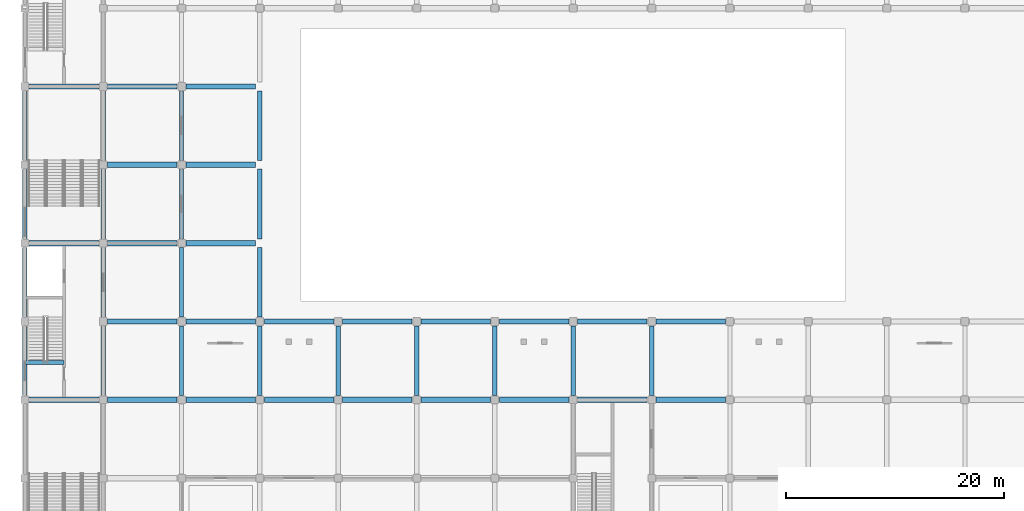
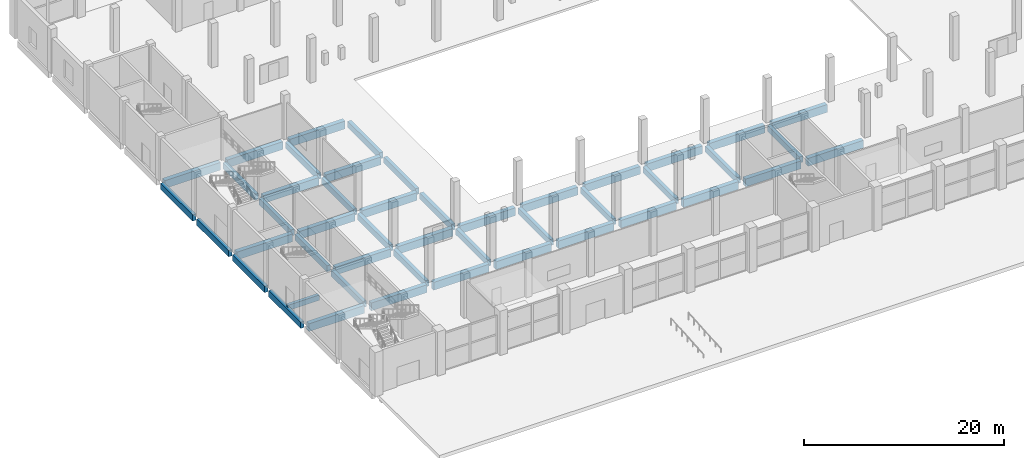
# One storey, part 9 of 70: 47 beams.
"""IFC4 building model written with IfcOpenShell, lengths in metres."""

from ifc_helpers import new_model, si_unit, direction, frame, origin, origin_2d, place, context, subcontext, project, spatial, rectangle, extrude, material, material_profile, profile_set, type_object, element, save


model = new_model("IFC4")

# Units and contexts
model_context = context("Model", 3, precision=1e-05, world=origin(), true_north=direction((0.0, 1.0)))
body_context = subcontext(model_context, "Body", "Model", "MODEL_VIEW")
ifc_project = project(units=[si_unit("LENGTHUNIT", "METRE"), si_unit("AREAUNIT", "SQUARE_METRE"), si_unit("VOLUMEUNIT", "CUBIC_METRE"), si_unit("PLANEANGLEUNIT", "RADIAN"), si_unit("MASSUNIT", "GRAM", prefix="KILO")], contexts=[model_context])

# Site, building, storey
site_placement = place(None, origin())
site = spatial("IfcSite", under=ifc_project, at=site_placement, CompositionType="ELEMENT")
building_placement = place(site_placement, origin())
building = spatial("IfcBuilding", under=site, at=building_placement, Name="Vesperath Aquatics Centre", CompositionType="ELEMENT")
storey_placement = place(building_placement, origin())
storey = spatial("IfcBuildingStorey", under=building, at=storey_placement, Name="L00", CompositionType="ELEMENT", Elevation=0.0)

# Beams
ifc_material_1 = material(Name="Concrete C40", Category="concrete")
ifc_material_profile_1 = material_profile(ifc_material_1, rectangle(XDim=0.5, YDim=0.949951171875, at=origin_2d()), Name="RC 500x950")
ifc_profile_set_1 = profile_set([ifc_material_profile_1], Name="Concrete C40")
beam_type_1 = type_object("IfcBeamType", Name="BM-G02", PredefinedType="BEAM", material=ifc_profile_set_1)
for number, where, z_axis, x_axis, name in (
    (1, (0.39990234375, 28.800048828125, -0.7548828125), (1.0, 0.0, 0.0), (0.0, 1.0, 0.0), "Floor Girder B02 L00 E 1-2"),
    (2, (0.39990234375, 43.199951171875, -0.7548828125), (1.0, 0.0, 0.0), (0.0, 1.0, 0.0), "Floor Girder B02 L00 G 1-2"),
    (3, (0.39990234375, 57.60009765625, -0.7548828125), (1.0, 0.0, 0.0), (0.0, 1.0, 0.0), "Floor Girder B02 L00 J 1-2"),
):
    element("IfcBeam", number, at=place(storey_placement, frame(where, z_axis=z_axis, x_axis=x_axis)), inside=storey, type_object=beam_type_1, Name=name, PredefinedType="BEAM", context=body_context, shape_type="SweptSolid", body=[
        extrude(rectangle(XDim=0.5, YDim=0.949951171875, at=origin_2d()), origin(), (0.0, 0.0, 1.0), 6.400146484375),
    ])
for number, where, z_axis, x_axis, name in (
    (4, (7.60009765625, 28.800048828125, -0.7548828125), (1.0, 0.0, 0.0), (0.0, 1.0, 0.0), "Floor Girder B02 L00 E 2-3"),
    (5, (7.60009765625, 36.0, -0.7548828125), (1.0, 0.0, 0.0), (0.0, 1.0, 0.0), "Floor Girder B02 L00 F 2-3"),
    (6, (7.60009765625, 43.199951171875, -0.7548828125), (1.0, 0.0, 0.0), (0.0, 1.0, 0.0), "Floor Girder B02 L00 G 2-3"),
    (7, (7.60009765625, 50.39990234375, -0.7548828125), (1.0, 0.0, 0.0), (0.0, 1.0, 0.0), "Floor Girder B02 L00 H 2-3"),
    (8, (7.60009765625, 57.60009765625, -0.7548828125), (1.0, 0.0, 0.0), (0.0, 1.0, 0.0), "Floor Girder B02 L00 J 2-3"),
    (9, (14.800048828125, 28.800048828125, -0.7548828125), (1.0, 0.0, 0.0), (0.0, 1.0, 0.0), "Floor Girder B02 L00 E 3-4"),
    (10, (14.800048828125, 36.0, -0.7548828125), (1.0, 0.0, 0.0), (0.0, 1.0, 0.0), "Floor Girder B02 L00 F 3-4"),
    (11, (14.800048828125, 43.199951171875, -0.7548828125), (1.0, 0.0, 0.0), (0.0, 1.0, 0.0), "Floor Girder B02 L00 G 3-4"),
    (12, (14.800048828125, 50.39990234375, -0.7548828125), (1.0, 0.0, 0.0), (0.0, 1.0, 0.0), "Floor Girder B02 L00 H 3-4"),
    (13, (14.800048828125, 57.60009765625, -0.7548828125), (1.0, 0.0, 0.0), (0.0, 1.0, 0.0), "Floor Girder B02 L00 J 3-4"),
    (14, (22.0, 28.800048828125, -0.7548828125), (1.0, 0.0, 0.0), (0.0, 1.0, 0.0), "Floor Girder B02 L00 E 4-5"),
    (15, (22.0, 36.0, -0.7548828125), (1.0, 0.0, 0.0), (0.0, 1.0, 0.0), "Floor Girder B02 L00 F 4-5"),
):
    element("IfcBeam", number, at=place(storey_placement, frame(where, z_axis=z_axis, x_axis=x_axis)), inside=storey, type_object=beam_type_1, Name=name, PredefinedType="BEAM", context=body_context, shape_type="SweptSolid", body=[
        extrude(rectangle(XDim=0.5, YDim=0.949951171875, at=origin_2d()), origin(), (0.0, 0.0, 1.0), 6.39990234375),
    ])
for number, where, z_axis, x_axis, name in (
    (16, (29.199951171875, 28.800048828125, -0.7548828125), (1.0, 0.0, 0.0), (0.0, 1.0, 0.0), "Floor Girder B02 L00 E 5-6"),
    (17, (29.199951171875, 36.0, -0.7548828125), (1.0, 0.0, 0.0), (0.0, 1.0, 0.0), "Floor Girder B02 L00 F 5-6"),
    (18, (36.39990234375, 28.800048828125, -0.7548828125), (1.0, 0.0, 0.0), (0.0, 1.0, 0.0), "Floor Girder B02 L00 E 6-7"),
    (19, (36.39990234375, 36.0, -0.7548828125), (1.0, 0.0, 0.0), (0.0, 1.0, 0.0), "Floor Girder B02 L00 F 6-7"),
):
    element("IfcBeam", number, at=place(storey_placement, frame(where, z_axis=z_axis, x_axis=x_axis)), inside=storey, type_object=beam_type_1, Name=name, PredefinedType="BEAM", context=body_context, shape_type="SweptSolid", body=[
        extrude(rectangle(XDim=0.5, YDim=0.949951171875, at=origin_2d()), origin(), (0.0, 0.0, 1.0), 6.400146484375),
    ])
for number, where, z_axis, x_axis, name in (
    (20, (43.60009765625, 28.800048828125, -0.7548828125), (1.0, 0.0, 0.0), (0.0, 1.0, 0.0), "Floor Girder B02 L00 E 7-8"),
    (21, (43.60009765625, 36.0, -0.7548828125), (1.0, 0.0, 0.0), (0.0, 1.0, 0.0), "Floor Girder B02 L00 F 7-8"),
    (22, (50.800048828125, 28.800048828125, -0.7548828125), (1.0, 0.0, 0.0), (0.0, 1.0, 0.0), "Floor Girder B02 L00 E 8-9"),
    (23, (50.800048828125, 36.0, -0.7548828125), (1.0, 0.0, 0.0), (0.0, 1.0, 0.0), "Floor Girder B02 L00 F 8-9"),
    (24, (58.0, 28.800048828125, -0.7548828125), (1.0, 0.0, 0.0), (0.0, 1.0, 0.0), "Floor Girder B02 L00 E 9-10"),
    (25, (58.0, 36.0, -0.7548828125), (1.0, 0.0, 0.0), (0.0, 1.0, 0.0), "Floor Girder B02 L00 F 9-10"),
):
    element("IfcBeam", number, at=place(storey_placement, frame(where, z_axis=z_axis, x_axis=x_axis)), inside=storey, type_object=beam_type_1, Name=name, PredefinedType="BEAM", context=body_context, shape_type="SweptSolid", body=[
        extrude(rectangle(XDim=0.5, YDim=0.949951171875, at=origin_2d()), origin(), (0.0, 0.0, 1.0), 6.39990234375),
    ])
ifc_material_2 = material(Name="Concrete C35", Category="concrete")
ifc_material_profile_2 = material_profile(ifc_material_2, rectangle(XDim=0.39990234375, YDim=0.75, at=origin_2d()), Name="RC 400x750")
ifc_profile_set_2 = profile_set([ifc_material_profile_2], Name="Concrete C35")
beam_type_2 = type_object("IfcBeamType", Name="BM-G04", PredefinedType="BEAM", material=ifc_profile_set_2)
for number, where, z_axis, x_axis, name in (
    (26, (0.0, 29.199951171875, -0.655029296875), (0.0, 1.0, 0.0), (-1.0, 0.0, 0.0), "Floor Girder B04 L00 1 E-F"),
    (27, (0.0, 36.39990234375, -0.655029296875), (0.0, 1.0, 0.0), (-1.0, 0.0, 0.0), "Floor Girder B04 L00 1 F-G"),
):
    element("IfcBeam", number, at=place(storey_placement, frame(where, z_axis=z_axis, x_axis=x_axis)), inside=storey, type_object=beam_type_2, Name=name, PredefinedType="BEAM", context=body_context, shape_type="SweptSolid", body=[
        extrude(rectangle(XDim=0.39990234375, YDim=0.75, at=origin_2d()), origin(), (0.0, 0.0, 1.0), 6.400146484375),
    ])
for number, where, z_axis, x_axis, name in (
    (28, (0.0, 43.60009765625, -0.655029296875), (0.0, 1.0, 0.0), (-1.0, 0.0, 0.0), "Floor Girder B04 L00 1 G-H"),
    (29, (0.0, 50.800048828125, -0.655029296875), (0.0, 1.0, 0.0), (-1.0, 0.0, 0.0), "Floor Girder B04 L00 1 H-J"),
):
    element("IfcBeam", number, at=place(storey_placement, frame(where, z_axis=z_axis, x_axis=x_axis)), inside=storey, type_object=beam_type_2, Name=name, PredefinedType="BEAM", context=body_context, shape_type="SweptSolid", body=[
        extrude(rectangle(XDim=0.39990234375, YDim=0.75, at=origin_2d()), origin(), (0.0, 0.0, 1.0), 6.39990234375),
    ])
for number, where, z_axis, x_axis, name in (
    (30, (7.199951171875, 29.199951171875, -0.655029296875), (0.0, 1.0, 0.0), (-1.0, 0.0, 0.0), "Floor Girder B04 L00 2 E-F"),
    (31, (7.199951171875, 36.39990234375, -0.655029296875), (0.0, 1.0, 0.0), (-1.0, 0.0, 0.0), "Floor Girder B04 L00 2 F-G"),
):
    element("IfcBeam", number, at=place(storey_placement, frame(where, z_axis=z_axis, x_axis=x_axis)), inside=storey, type_object=beam_type_2, Name=name, PredefinedType="BEAM", context=body_context, shape_type="SweptSolid", body=[
        extrude(rectangle(XDim=0.39990234375, YDim=0.75, at=origin_2d()), origin(), (0.0, 0.0, 1.0), 6.400146484375),
    ])
for number, where, z_axis, x_axis, name in (
    (32, (7.199951171875, 43.60009765625, -0.655029296875), (0.0, 1.0, 0.0), (-1.0, 0.0, 0.0), "Floor Girder B04 L00 2 G-H"),
    (33, (7.199951171875, 50.800048828125, -0.655029296875), (0.0, 1.0, 0.0), (-1.0, 0.0, 0.0), "Floor Girder B04 L00 2 H-J"),
):
    element("IfcBeam", number, at=place(storey_placement, frame(where, z_axis=z_axis, x_axis=x_axis)), inside=storey, type_object=beam_type_2, Name=name, PredefinedType="BEAM", context=body_context, shape_type="SweptSolid", body=[
        extrude(rectangle(XDim=0.39990234375, YDim=0.75, at=origin_2d()), origin(), (0.0, 0.0, 1.0), 6.39990234375),
    ])
for number, where, z_axis, x_axis, name in (
    (34, (14.39990234375, 29.199951171875, -0.655029296875), (0.0, 1.0, 0.0), (-1.0, 0.0, 0.0), "Floor Girder B04 L00 3 E-F"),
    (35, (14.39990234375, 36.39990234375, -0.655029296875), (0.0, 1.0, 0.0), (-1.0, 0.0, 0.0), "Floor Girder B04 L00 3 F-G"),
):
    element("IfcBeam", number, at=place(storey_placement, frame(where, z_axis=z_axis, x_axis=x_axis)), inside=storey, type_object=beam_type_2, Name=name, PredefinedType="BEAM", context=body_context, shape_type="SweptSolid", body=[
        extrude(rectangle(XDim=0.39990234375, YDim=0.75, at=origin_2d()), origin(), (0.0, 0.0, 1.0), 6.400146484375),
    ])
for number, where, z_axis, x_axis, name in (
    (36, (14.39990234375, 43.60009765625, -0.655029296875), (0.0, 1.0, 0.0), (-1.0, 0.0, 0.0), "Floor Girder B04 L00 3 G-H"),
    (37, (14.39990234375, 50.800048828125, -0.655029296875), (0.0, 1.0, 0.0), (-1.0, 0.0, 0.0), "Floor Girder B04 L00 3 H-J"),
):
    element("IfcBeam", number, at=place(storey_placement, frame(where, z_axis=z_axis, x_axis=x_axis)), inside=storey, type_object=beam_type_2, Name=name, PredefinedType="BEAM", context=body_context, shape_type="SweptSolid", body=[
        extrude(rectangle(XDim=0.39990234375, YDim=0.75, at=origin_2d()), origin(), (0.0, 0.0, 1.0), 6.39990234375),
    ])
for number, where, z_axis, x_axis, name in (
    (38, (21.60009765625, 29.199951171875, -0.655029296875), (0.0, 1.0, 0.0), (-1.0, 0.0, 0.0), "Floor Girder B04 L00 4 E-F"),
    (39, (21.60009765625, 36.39990234375, -0.655029296875), (0.0, 1.0, 0.0), (-1.0, 0.0, 0.0), "Floor Girder B04 L00 4 F-G"),
):
    element("IfcBeam", number, at=place(storey_placement, frame(where, z_axis=z_axis, x_axis=x_axis)), inside=storey, type_object=beam_type_2, Name=name, PredefinedType="BEAM", context=body_context, shape_type="SweptSolid", body=[
        extrude(rectangle(XDim=0.39990234375, YDim=0.75, at=origin_2d()), origin(), (0.0, 0.0, 1.0), 6.400146484375),
    ])
for number, where, z_axis, x_axis, name in (
    (40, (21.60009765625, 43.60009765625, -0.655029296875), (0.0, 1.0, 0.0), (-1.0, 0.0, 0.0), "Floor Girder B04 L00 4 G-H"),
    (41, (21.60009765625, 50.800048828125, -0.655029296875), (0.0, 1.0, 0.0), (-1.0, 0.0, 0.0), "Floor Girder B04 L00 4 H-J"),
):
    element("IfcBeam", number, at=place(storey_placement, frame(where, z_axis=z_axis, x_axis=x_axis)), inside=storey, type_object=beam_type_2, Name=name, PredefinedType="BEAM", context=body_context, shape_type="SweptSolid", body=[
        extrude(rectangle(XDim=0.39990234375, YDim=0.75, at=origin_2d()), origin(), (0.0, 0.0, 1.0), 6.39990234375),
    ])
for number, where, z_axis, x_axis, name in (
    (42, (28.800048828125, 29.199951171875, -0.655029296875), (0.0, 1.0, 0.0), (-1.0, 0.0, 0.0), "Floor Girder B04 L00 5 E-F"),
    (43, (36.0, 29.199951171875, -0.655029296875), (0.0, 1.0, 0.0), (-1.0, 0.0, 0.0), "Floor Girder B04 L00 6 E-F"),
    (44, (43.199951171875, 29.199951171875, -0.655029296875), (0.0, 1.0, 0.0), (-1.0, 0.0, 0.0), "Floor Girder B04 L00 7 E-F"),
    (45, (50.39990234375, 29.199951171875, -0.655029296875), (0.0, 1.0, 0.0), (-1.0, 0.0, 0.0), "Floor Girder B04 L00 8 E-F"),
    (46, (57.60009765625, 29.199951171875, -0.655029296875), (0.0, 1.0, 0.0), (-1.0, 0.0, 0.0), "Floor Girder B04 L00 9 E-F"),
):
    element("IfcBeam", number, at=place(storey_placement, frame(where, z_axis=z_axis, x_axis=x_axis)), inside=storey, type_object=beam_type_2, Name=name, PredefinedType="BEAM", context=body_context, shape_type="SweptSolid", body=[
        extrude(rectangle(XDim=0.39990234375, YDim=0.75, at=origin_2d()), origin(), (0.0, 0.0, 1.0), 6.400146484375),
    ])
ifc_material_profile_3 = material_profile(ifc_material_2, rectangle(XDim=0.35009765625, YDim=0.64990234375, at=origin_2d()), Name="RC 350x650")
ifc_profile_set_3 = profile_set([ifc_material_profile_3], Name="Concrete C35")
beam_type_3 = type_object("IfcBeamType", Name="BM-G05", PredefinedType="BEAM", material=ifc_profile_set_3)
beam_placement = place(storey_placement, frame((0.0, 32.219970703125, -0.324951171875), z_axis=(1.0, 0.0, 0.0), x_axis=(0.0, 1.0, 0.0)))
element("IfcBeam", 47, at=beam_placement, inside=storey, type_object=beam_type_3, Name="Stair ST1 Landing Trimmer Beam B05 L00", PredefinedType="BEAM", context=body_context, shape_type="SweptSolid", body=[
    extrude(rectangle(XDim=0.35009765625, YDim=0.64990234375, at=origin_2d()), origin(), (0.0, 0.0, 1.0), 3.60009765625),
])

save(model, "model.ifc")
